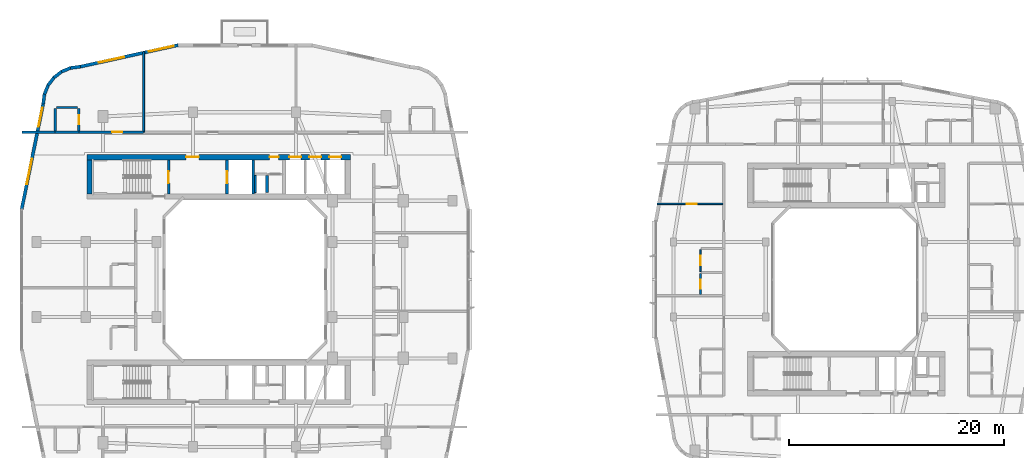
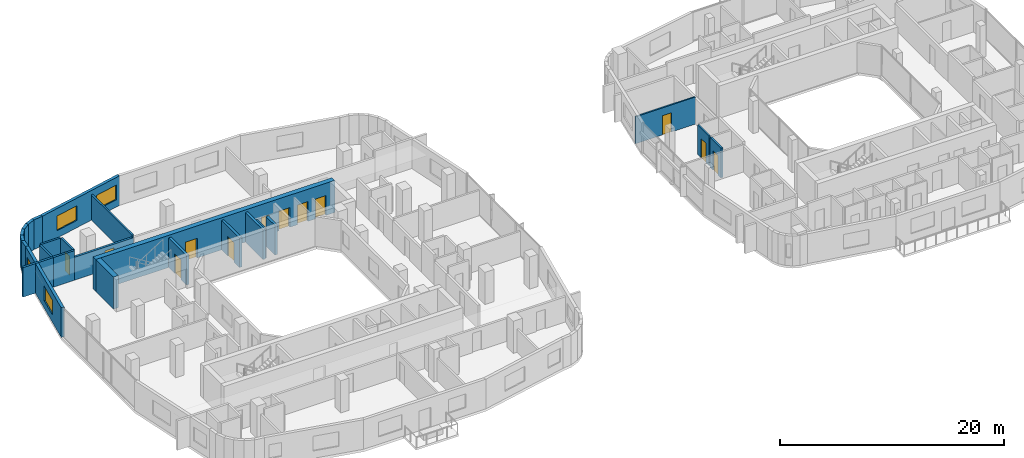
# One storey, part 12 of 24: 25 walls, 12 doors, 4 windows, 16 openings.
"""IFC4 building model written with IfcOpenShell, lengths in metres."""

from ifc_helpers import new_model, si_unit, derived_unit, direction, frame, frame_2d, origin, place, context, subcontext, project, spatial, rectangle, extrude, material, layer, layer_set, type_object, element, fill, save


model = new_model("IFC4")

# Units and contexts
model_context = context("Model", 3, precision=1e-05, world=origin(), true_north=direction((0.0, 1.0)))
body_context = subcontext(model_context, "Body", "Model", "MODEL_VIEW")
ifc_project = project(units=[si_unit("LENGTHUNIT", "METRE"), si_unit("AREAUNIT", "SQUARE_METRE"), si_unit("VOLUMEUNIT", "CUBIC_METRE"), si_unit("PLANEANGLEUNIT", "RADIAN"), si_unit("MASSUNIT", "GRAM", prefix="KILO"), derived_unit("THERMALTRANSMITTANCEUNIT", [(si_unit("POWERUNIT", "WATT"), 1), (si_unit("LENGTHUNIT", "METRE"), -2), (si_unit("THERMODYNAMICTEMPERATUREUNIT", "KELVIN"), -1)])], contexts=[model_context])

# Site, building, storey
site_placement = place(None, origin())
site = spatial("IfcSite", under=ifc_project, at=site_placement, CompositionType="ELEMENT")
building_placement = place(site_placement, origin())
building = spatial("IfcBuilding", under=site, at=building_placement, Name="Kivonza Crest Hotel", CompositionType="ELEMENT")
storey_placement = place(building_placement, frame((0.0, 0.0, 80.0)))
storey = spatial("IfcBuildingStorey", under=building, at=storey_placement, Name="L21", CompositionType="ELEMENT", Elevation=80.0)

# Walls
ifc_material_1 = material(Name="High-density acoustic masonry inter-tenancy wall", Category="masonry")
ifc_layer_1 = layer(ifc_material_1, 0.179931640625)
ifc_layer_set_1 = layer_set([ifc_layer_1], Name="High-density acoustic masonry inter-tenancy wall")
wall_type_1 = type_object("IfcWallType", Name="WL-ACOU-180", PredefinedType="SOLIDWALL", material=ifc_layer_set_1)
wall_1_placement = place(storey_placement, frame((11.60009765625, 38.75, 0.0), z_axis=(0.0, 0.0, 1.0), x_axis=(0.0, 1.0, 0.0)))
element("IfcWall", 1, at=wall_1_placement, inside=storey, type_object=wall_type_1, Name="L21 interior partition WA-L21-T1N-DIV1", PredefinedType="SOLIDWALL", context=body_context, shape_type="SweptSolid", body=[
    extrude(rectangle(XDim=7.493896484375, YDim=0.179931640625, at=frame_2d((3.7470703125, 0.0))), origin(), (0.0, 0.0, 1.0), 2.7451171875),
])
ifc_material_2 = material(Name="Autoclaved aerated concrete blockwork", Category="masonry")
ifc_layer_2 = layer(ifc_material_2, 0.219970703125)
ifc_layer_set_2 = layer_set([ifc_layer_2], Name="Autoclaved aerated concrete blockwork")
wall_type_2 = type_object("IfcWallType", Name="WL-ACOU-220", PredefinedType="SOLIDWALL", material=ifc_layer_set_2)
wall_2_placement = place(storey_placement, frame((0.239990234375, 38.75, 0.0), z_axis=(0.0, 0.0, 1.0), x_axis=(1.0, 0.0, 0.0)))
element("IfcWall", 2, at=wall_2_placement, inside=storey, type_object=wall_type_2, Name="L21 interior partition WA-L21-N01-XCORR", PredefinedType="SOLIDWALL", context=body_context, shape_type="SweptSolid", body=[
    extrude(rectangle(XDim=3.110107421875, YDim=0.219970703125, at=frame_2d((1.55517578125, 0.0))), origin(), (0.0, 0.0, 1.0), 3.219970703125),
])
wall_3_placement = place(storey_placement, frame((3.35009765625, 38.75, 0.0), z_axis=(0.0, 0.0, 1.0), x_axis=(1.0, 0.0, 0.0)))
element("IfcWall", 3, at=wall_3_placement, inside=storey, type_object=wall_type_2, Name="L21 interior partition WA-L21-N01-BCORR", PredefinedType="SOLIDWALL", context=body_context, shape_type="SweptSolid", body=[
    extrude(rectangle(XDim=2.199951171875, YDim=0.219970703125, at=frame_2d((1.10009765625, 0.0))), origin(), (0.0, 0.0, 1.0), 3.219970703125),
])

# Wall, opening, door
wall_4_placement = place(storey_placement, frame((5.550048828125, 38.75, 0.0), z_axis=(0.0, 0.0, 1.0), x_axis=(1.0, 0.0, 0.0)))
wall_4 = element("IfcWall", 4, at=wall_4_placement, inside=storey, type_object=wall_type_2, Name="L21 interior partition WA-L21-N01-MCORR", PredefinedType="SOLIDWALL", context=body_context, shape_type="SweptSolid", body=[
    extrude(rectangle(XDim=6.050048828125, YDim=0.219970703125, at=frame_2d((3.02490234375, 0.0))), origin(), (0.0, 0.0, 1.0), 2.4951171875),
])
opening_1_placement = place(wall_4_placement, frame((3.110107421875, 0.0, 0.0)))
opening_1 = element("IfcOpeningElement", 5, at=opening_1_placement, cuts=wall_4, Name="Opening DU-60", PredefinedType="OPENING", context=body_context, shape_type="SweptSolid", body=[
    extrude(rectangle(XDim=0.949951171875, YDim=2.10009765625, at=frame_2d((0.47509765625, 1.050048828125))), frame((0.0, 0.1201171875, 0.0), z_axis=(0.0, -1.0, 0.0), x_axis=(1.0, 0.0, 0.0)), (0.0, 0.0, 1.0), 0.239990234375),
])
ifc_material_3 = material(Name="Hardwood timber oak", Category="wood")
door_type_1 = type_object("IfcDoorType", Name="DR-UNIT-950", OperationType="NOTDEFINED", PredefinedType="DOOR", material=ifc_material_3)
door_1_placement = place(opening_1_placement, origin())
door_1 = element("IfcDoor", 6, at=door_1_placement, inside=storey, type_object=door_type_1, Name="L21 N01 guest unit entrance fire door", OperationType="SINGLE_SWING_LEFT", OverallHeight=2.10009765625, OverallWidth=0.949951171875, PredefinedType="DOOR", context=body_context, shape_type="SweptSolid", body=[
    extrude(rectangle(XDim=0.949951171875, YDim=2.10009765625, at=frame_2d((0.47509765625, 1.050048828125))), frame((0.0, 0.02490234375, 0.0), z_axis=(0.0, -1.0, 0.0), x_axis=(1.0, 0.0, 0.0)), (0.0, 0.0, 1.0), 0.050048828125),
])
fill(opening_1, door_1)

# Wall, openings, doors
ifc_material_4 = material(Name="Concrete C60/75", Category="concrete")
ifc_layer_3 = layer(ifc_material_4, 0.5)
ifc_layer_set_3 = layer_set([ifc_layer_3], Name="Concrete C60/75")
wall_type_3 = type_object("IfcWallType", Name="WL-CORE-500", PredefinedType="SHEAR", material=ifc_layer_set_3)
wall_5_placement = place(storey_placement, frame((6.300048828125, 36.409912109375, 0.0), z_axis=(0.0, 0.0, 1.0), x_axis=(1.0, 0.0, 0.0)))
wall_5 = element("IfcWall", 7, at=wall_5_placement, inside=storey, type_object=wall_type_3, Name="Core wall T1-N North L21", PredefinedType="SHEAR", context=body_context, shape_type="SweptSolid", body=[
    extrude(rectangle(XDim=24.599853515625, YDim=0.5, at=frame_2d((12.2998046875, 0.0))), origin(), (0.0, 0.0, 1.0), 3.5),
])
opening_2_placement = place(wall_5_placement, frame((9.25, 0.0, 0.0)))
opening_2 = element("IfcOpeningElement", 8, at=opening_2_placement, cuts=wall_5, Name="Opening DF-60", PredefinedType="OPENING", context=body_context, shape_type="SweptSolid", body=[
    extrude(rectangle(XDim=1.199951171875, YDim=2.14990234375, at=frame_2d((0.60009765625, 1.074951171875))), frame((0.0, 0.260009765625, 0.0), z_axis=(0.0, -1.0, 0.0), x_axis=(1.0, 0.0, 0.0)), (0.0, 0.0, 1.0), 0.52001953125),
])
opening_3_placement = place(wall_5_placement, frame((17.0400390625, 0.0, 0.0)))
opening_3 = element("IfcOpeningElement", 9, at=opening_3_placement, cuts=wall_5, Name="Opening DF-60R", PredefinedType="OPENING", context=body_context, shape_type="SweptSolid", body=[
    extrude(rectangle(XDim=0.85009765625, YDim=2.10009765625, at=frame_2d((0.425048828125, 1.050048828125))), frame((0.0, 0.260009765625, 0.0), z_axis=(0.0, -1.0, 0.0), x_axis=(1.0, 0.0, 0.0)), (0.0, 0.0, 1.0), 0.52001953125),
])
opening_4_placement = place(wall_5_placement, frame((18.883056640625, 0.0, 0.0)))
opening_4 = element("IfcOpeningElement", 10, at=opening_4_placement, cuts=wall_5, Name="Opening LD-120", PredefinedType="OPENING", context=body_context, shape_type="SweptSolid", body=[
    extrude(rectangle(XDim=1.10009765625, YDim=2.14990234375, at=frame_2d((0.550048828125, 1.074951171875))), frame((0.0, 0.260009765625, 0.0), z_axis=(0.0, -1.0, 0.0), x_axis=(1.0, 0.0, 0.0)), (0.0, 0.0, 1.0), 0.52001953125),
])
opening_5_placement = place(wall_5_placement, frame((20.75, 0.0, 0.0)))
opening_5 = element("IfcOpeningElement", 11, at=opening_5_placement, cuts=wall_5, Name="Opening LD-120", PredefinedType="OPENING", context=body_context, shape_type="SweptSolid", body=[
    extrude(rectangle(XDim=1.10009765625, YDim=2.14990234375, at=frame_2d((0.550048828125, 1.074951171875))), frame((0.0, 0.260009765625, 0.0), z_axis=(0.0, -1.0, 0.0), x_axis=(1.0, 0.0, 0.0)), (0.0, 0.0, 1.0), 0.52001953125),
])
opening_6_placement = place(wall_5_placement, frame((22.615966796875, 0.0, 0.0)))
opening_6 = element("IfcOpeningElement", 12, at=opening_6_placement, cuts=wall_5, Name="Opening LD-120", PredefinedType="OPENING", context=body_context, shape_type="SweptSolid", body=[
    extrude(rectangle(XDim=1.10009765625, YDim=2.14990234375, at=frame_2d((0.550048828125, 1.074951171875))), frame((0.0, 0.260009765625, 0.0), z_axis=(0.0, -1.0, 0.0), x_axis=(1.0, 0.0, 0.0)), (0.0, 0.0, 1.0), 0.52001953125),
])
door_type_2 = type_object("IfcDoorType", Name="DR-FD60-1200", OperationType="NOTDEFINED", PredefinedType="DOOR", material=ifc_material_3)
door_2_placement = place(opening_2_placement, origin())
door_2 = element("IfcDoor", 13, at=door_2_placement, inside=storey, type_object=door_type_2, Name="L21 T1-N firefighting lobby fire door", OperationType="SINGLE_SWING_RIGHT", OverallHeight=2.14990234375, OverallWidth=1.199951171875, PredefinedType="DOOR", context=body_context, shape_type="SweptSolid", body=[
    extrude(rectangle(XDim=1.199951171875, YDim=2.14990234375, at=frame_2d((0.60009765625, 1.074951171875))), frame((0.0, 0.02490234375, 0.0), z_axis=(0.0, -1.0, 0.0), x_axis=(1.0, 0.0, 0.0)), (0.0, 0.0, 1.0), 0.050048828125),
])
fill(opening_2, door_2)
door_type_3 = type_object("IfcDoorType", Name="DR-FD60-850", OperationType="NOTDEFINED", PredefinedType="DOOR", material=ifc_material_3)
door_3_placement = place(opening_3_placement, origin())
door_3 = element("IfcDoor", 14, at=door_3_placement, inside=storey, type_object=door_type_3, Name="L21 T1-N core room door", OperationType="SINGLE_SWING_RIGHT", OverallHeight=2.10009765625, OverallWidth=0.85009765625, PredefinedType="DOOR", context=body_context, shape_type="SweptSolid", body=[
    extrude(rectangle(XDim=0.85009765625, YDim=2.10009765625, at=frame_2d((0.425048828125, 1.050048828125))), frame((0.0, 0.02490234375, 0.0), z_axis=(0.0, -1.0, 0.0), x_axis=(1.0, 0.0, 0.0)), (0.0, 0.0, 1.0), 0.050048828125),
])
fill(opening_3, door_3)
ifc_material_5 = material(Name="Stainless steel", Category="steel")
door_type_4 = type_object("IfcDoorType", Name="DR-LD120-1100", OperationType="NOTDEFINED", PredefinedType="DOOR", material=ifc_material_5)
door_4_placement = place(opening_4_placement, origin())
door_4 = element("IfcDoor", 15, at=door_4_placement, inside=storey, type_object=door_type_4, Name="L21 PL-T1-L1 passenger lift sliding landing door", OperationType="DOUBLE_DOOR_SLIDING", OverallHeight=2.14990234375, OverallWidth=1.10009765625, PredefinedType="DOOR", context=body_context, shape_type="SweptSolid", body=[
    extrude(rectangle(XDim=1.10009765625, YDim=2.14990234375, at=frame_2d((0.550048828125, 1.074951171875))), frame((0.0, 0.02490234375, 0.0), z_axis=(0.0, -1.0, 0.0), x_axis=(1.0, 0.0, 0.0)), (0.0, 0.0, 1.0), 0.050048828125),
])
fill(opening_4, door_4)
door_5_placement = place(opening_5_placement, origin())
door_5 = element("IfcDoor", 16, at=door_5_placement, inside=storey, type_object=door_type_4, Name="L21 PL-T1-L2 passenger lift sliding landing door", OperationType="DOUBLE_DOOR_SLIDING", OverallHeight=2.14990234375, OverallWidth=1.10009765625, PredefinedType="DOOR", context=body_context, shape_type="SweptSolid", body=[
    extrude(rectangle(XDim=1.10009765625, YDim=2.14990234375, at=frame_2d((0.550048828125, 1.074951171875))), frame((0.0, 0.02490234375, 0.0), z_axis=(0.0, -1.0, 0.0), x_axis=(1.0, 0.0, 0.0)), (0.0, 0.0, 1.0), 0.050048828125),
])
fill(opening_5, door_5)
door_6_placement = place(opening_6_placement, origin())
door_6 = element("IfcDoor", 17, at=door_6_placement, inside=storey, type_object=door_type_4, Name="L21 PL-T1-L3 passenger lift sliding landing door", OperationType="DOUBLE_DOOR_SLIDING", OverallHeight=2.14990234375, OverallWidth=1.10009765625, PredefinedType="DOOR", context=body_context, shape_type="SweptSolid", body=[
    extrude(rectangle(XDim=1.10009765625, YDim=2.14990234375, at=frame_2d((0.550048828125, 1.074951171875))), frame((0.0, 0.02490234375, 0.0), z_axis=(0.0, -1.0, 0.0), x_axis=(1.0, 0.0, 0.0)), (0.0, 0.0, 1.0), 0.050048828125),
])
fill(opening_6, door_6)

# Wall
wall_6_placement = place(storey_placement, frame((6.550048828125, 33.0, 0.0), z_axis=(0.0, 0.0, 1.0), x_axis=(0.0, 1.0, 0.0)))
element("IfcWall", 18, at=wall_6_placement, inside=storey, type_object=wall_type_3, Name="Core wall T1-N West L21", PredefinedType="SHEAR", context=body_context, shape_type="SweptSolid", body=[
    extrude(rectangle(XDim=3.159912109375, YDim=0.5, at=frame_2d((1.580078125, 0.0))), origin(), (0.0, 0.0, 1.0), 3.5),
])

# Wall, openings, windows
ifc_material_6 = material(Name="Precast concrete C40/50", Category="concrete")
ifc_layer_4 = layer(ifc_material_6, 0.300048828125)
ifc_layer_set_4 = layer_set([ifc_layer_4], Name="Precast concrete C40/50")
wall_type_4 = type_object("IfcWallType", Name="WL-EXT-300", PredefinedType="STANDARD", material=ifc_layer_set_4)
wall_7_placement = place(storey_placement, frame((14.80810546875, 46.85888671875, 0.0), z_axis=(0.0, 0.0, 1.0), x_axis=(-0.976555357219, -0.21526642629, 0.0)))
wall_7 = element("IfcWall", 19, at=wall_7_placement, inside=storey, type_object=wall_type_4, Name="L21 T1 exterior insulated wall 27", PredefinedType="STANDARD", context=body_context, shape_type="SweptSolid", body=[
    extrude(rectangle(XDim=9.322509765625, YDim=0.300048828125, at=frame_2d((4.6611328125, 0.0))), origin(), (0.0, 0.0, 1.0), 3.219970703125),
])
opening_7_placement = place(wall_7_placement, frame((0.403076171875, 0.0, 0.800048828125)))
opening_7 = element("IfcOpeningElement", 20, at=opening_7_placement, cuts=wall_7, Name="Opening WN-05", PredefinedType="OPENING", context=body_context, shape_type="SweptSolid", body=[
    extrude(rectangle(XDim=2.39990234375, YDim=1.60009765625, at=frame_2d((1.199951171875, 0.800048828125))), frame((0.0, 0.16015625, 0.0), z_axis=(0.0, -1.0, 0.0), x_axis=(1.0, 0.0, 0.0)), (0.0, 0.0, 1.0), 0.320068359375),
])
opening_8_placement = place(wall_7_placement, frame((5.1689453125, 0.0, 0.800048828125)))
opening_8 = element("IfcOpeningElement", 21, at=opening_8_placement, cuts=wall_7, Name="Opening WN-05", PredefinedType="OPENING", context=body_context, shape_type="SweptSolid", body=[
    extrude(rectangle(XDim=2.39990234375, YDim=1.60009765625, at=frame_2d((1.199951171875, 0.800048828125))), frame((0.0, 0.16015625, 0.0), z_axis=(0.0, -1.0, 0.0), x_axis=(1.0, 0.0, 0.0)), (0.0, 0.0, 1.0), 0.320068359375),
])
ifc_material_7 = material(Name="Thermally broken bronze aluminium and low-E double glazing", Category="aluminium")
window_type_1 = type_object("IfcWindowType", Name="WN-240x160", PartitioningType="TRIPLE_PANEL_VERTICAL", PredefinedType="WINDOW", material=ifc_material_7)
window_1_placement = place(opening_7_placement, origin())
window_1 = element("IfcWindow", 22, at=window_1_placement, inside=storey, type_object=window_type_1, Name="L21 T1 facade window 27 bay 1", OverallHeight=1.60009765625, OverallWidth=2.39990234375, PartitioningType="SINGLE_PANEL", PredefinedType="WINDOW", context=body_context, shape_type="SweptSolid", body=[
    extrude(rectangle(XDim=2.39990234375, YDim=1.60009765625, at=frame_2d((1.199951171875, 0.800048828125))), frame((0.0, 0.030029296875, 0.0), z_axis=(0.0, -1.0, 0.0), x_axis=(1.0, 0.0, 0.0)), (0.0, 0.0, 1.0), 0.06005859375),
])
fill(opening_7, window_1)
window_2_placement = place(opening_8_placement, origin())
window_2 = element("IfcWindow", 23, at=window_2_placement, inside=storey, type_object=window_type_1, Name="L21 T1 facade window 27 bay 2", OverallHeight=1.60009765625, OverallWidth=2.39990234375, PartitioningType="SINGLE_PANEL", PredefinedType="WINDOW", context=body_context, shape_type="SweptSolid", body=[
    extrude(rectangle(XDim=2.39990234375, YDim=1.60009765625, at=frame_2d((1.199951171875, 0.800048828125))), frame((0.0, 0.030029296875, 0.0), z_axis=(0.0, -1.0, 0.0), x_axis=(1.0, 0.0, 0.0)), (0.0, 0.0, 1.0), 0.06005859375),
])
fill(opening_8, window_2)

# Walls
wall_8_placement = place(storey_placement, frame((5.7080078125, 44.85205078125, 0.0), z_axis=(0.0, 0.0, 1.0), x_axis=(-0.991359246108, -0.131174864804, 0.0)))
element("IfcWall", 24, at=wall_8_placement, inside=storey, type_object=wall_type_4, Name="L21 T1 exterior insulated wall 28", PredefinedType="STANDARD", context=body_context, shape_type="SweptSolid", body=[
    extrude(rectangle(XDim=0.93798828125, YDim=0.300048828125, at=frame_2d((0.468994140625, 0.0))), origin(), (0.0, 0.0, 1.0), 3.219970703125),
])
wall_9_placement = place(storey_placement, frame((4.827880859375, 44.748046875, 0.0), z_axis=(0.0, 0.0, 1.0), x_axis=(-0.923982547689, -0.382434636986, 0.0)))
element("IfcWall", 25, at=wall_9_placement, inside=storey, type_object=wall_type_4, Name="L21 T1 exterior insulated wall 29", PredefinedType="STANDARD", context=body_context, shape_type="SweptSolid", body=[
    extrude(rectangle(XDim=0.954345703125, YDim=0.300048828125, at=frame_2d((0.47705078125, 0.0))), origin(), (0.0, 0.0, 1.0), 3.219970703125),
])
for number, where, z_axis, x_axis, name in (
    (26, (3.990966796875, 44.4140625, 0.0), (0.0, 0.0, 1.0), (-0.793668068435, -0.608351047625, 0.0), "L21 T1 exterior insulated wall 30"),
    (27, (3.26806640625, 43.875, 0.0), (0.0, 0.0, 1.0), (-0.608351047625, -0.793668068435, 0.0), "L21 T1 exterior insulated wall 31"),
):
    element("IfcWall", number, at=place(storey_placement, frame(where, z_axis=z_axis, x_axis=x_axis)), inside=storey, type_object=wall_type_4, Name=name, PredefinedType="STANDARD", context=body_context, shape_type="SweptSolid", body=[
        extrude(rectangle(XDim=0.955078125, YDim=0.300048828125, at=frame_2d((0.4775390625, 0.0))), origin(), (0.0, 0.0, 1.0), 3.219970703125),
    ])
wall_10_placement = place(storey_placement, frame((2.7109375, 43.166015625, 0.0), z_axis=(0.0, 0.0, 1.0), x_axis=(-0.382344263057, -0.924019948111, 0.0)))
element("IfcWall", 28, at=wall_10_placement, inside=storey, type_object=wall_type_4, Name="L21 T1 exterior insulated wall 32", PredefinedType="STANDARD", context=body_context, shape_type="SweptSolid", body=[
    extrude(rectangle(XDim=0.95458984375, YDim=0.300048828125, at=frame_2d((0.477294921875, 0.0))), origin(), (0.0, 0.0, 1.0), 3.219970703125),
])
wall_11_placement = place(storey_placement, frame((2.35498046875, 42.3369140625, 0.0), z_axis=(0.0, 0.0, 1.0), x_axis=(-0.130454512571, -0.991454295543, 0.0)))
element("IfcWall", 29, at=wall_11_placement, inside=storey, type_object=wall_type_4, Name="L21 T1 exterior insulated wall 33", PredefinedType="STANDARD", context=body_context, shape_type="SweptSolid", body=[
    extrude(rectangle(XDim=0.97314453125, YDim=0.300048828125, at=frame_2d((0.486572265625, 0.0))), origin(), (0.0, 0.0, 1.0), 3.219970703125),
])

# Wall, openings, windows
wall_12_placement = place(storey_placement, frame((2.22900390625, 41.3779296875, 0.0), z_axis=(0.0, 0.0, 1.0), x_axis=(-0.199990901713, -0.979797754249, 0.0)))
wall_12 = element("IfcWall", 30, at=wall_12_placement, inside=storey, type_object=wall_type_4, Name="L21 T1 exterior insulated wall 34", PredefinedType="STANDARD", context=body_context, shape_type="SweptSolid", body=[
    extrude(rectangle(XDim=10.065185546875, YDim=0.300048828125, at=frame_2d((5.03271484375, 0.0))), origin(), (0.0, 0.0, 1.0), 3.219970703125),
])
opening_9_placement = place(wall_12_placement, frame((0.3779296875, 0.0, 0.85009765625)))
opening_9 = element("IfcOpeningElement", 31, at=opening_9_placement, cuts=wall_12, Name="Opening WN-03", PredefinedType="OPENING", context=body_context, shape_type="SweptSolid", body=[
    extrude(rectangle(XDim=1.800048828125, YDim=1.5, at=frame_2d((0.89990234375, 0.75))), frame((0.0, 0.16015625, 0.0), z_axis=(0.0, -1.0, 0.0), x_axis=(1.0, 0.0, 0.0)), (0.0, 0.0, 1.0), 0.320068359375),
])
opening_10_placement = place(wall_12_placement, frame((5.236083984375, 0.0, 0.800048828125)))
opening_10 = element("IfcOpeningElement", 32, at=opening_10_placement, cuts=wall_12, Name="Opening WN-05", PredefinedType="OPENING", context=body_context, shape_type="SweptSolid", body=[
    extrude(rectangle(XDim=2.39990234375, YDim=1.60009765625, at=frame_2d((1.199951171875, 0.800048828125))), frame((0.0, 0.16015625, 0.0), z_axis=(0.0, -1.0, 0.0), x_axis=(1.0, 0.0, 0.0)), (0.0, 0.0, 1.0), 0.320068359375),
])
window_type_2 = type_object("IfcWindowType", Name="WN-180x150", PartitioningType="DOUBLE_PANEL_VERTICAL", PredefinedType="WINDOW", material=ifc_material_7)
window_3_placement = place(opening_9_placement, origin())
window_3 = element("IfcWindow", 33, at=window_3_placement, inside=storey, type_object=window_type_2, Name="L21 T1 facade window 34 bay 1", OverallHeight=1.5, OverallWidth=1.800048828125, PartitioningType="SINGLE_PANEL", PredefinedType="WINDOW", context=body_context, shape_type="SweptSolid", body=[
    extrude(rectangle(XDim=1.800048828125, YDim=1.5, at=frame_2d((0.89990234375, 0.75))), frame((0.0, 0.030029296875, 0.0), z_axis=(0.0, -1.0, 0.0), x_axis=(1.0, 0.0, 0.0)), (0.0, 0.0, 1.0), 0.06005859375),
])
fill(opening_9, window_3)
window_4_placement = place(opening_10_placement, origin())
window_4 = element("IfcWindow", 34, at=window_4_placement, inside=storey, type_object=window_type_1, Name="L21 T1 facade window 34 bay 2", OverallHeight=1.60009765625, OverallWidth=2.39990234375, PartitioningType="SINGLE_PANEL", PredefinedType="WINDOW", context=body_context, shape_type="SweptSolid", body=[
    extrude(rectangle(XDim=2.39990234375, YDim=1.60009765625, at=frame_2d((1.199951171875, 0.800048828125))), frame((0.0, 0.030029296875, 0.0), z_axis=(0.0, -1.0, 0.0), x_axis=(1.0, 0.0, 0.0)), (0.0, 0.0, 1.0), 0.06005859375),
])
fill(opening_10, window_4)

# Walls
ifc_material_8 = material(Name="Concrete blockwork fire-compartment wall", Category="masonry")
ifc_layer_5 = layer(ifc_material_8, 0.25)
ifc_layer_set_5 = layer_set([ifc_layer_5], Name="Concrete blockwork fire-compartment wall")
wall_type_5 = type_object("IfcWallType", Name="WL-FIRE-250", PredefinedType="SOLIDWALL", material=ifc_layer_set_5)
wall_13_placement = place(storey_placement, frame((23.10009765625, 33.10009765625, 0.0), z_axis=(0.0, 0.0, 1.0), x_axis=(0.0, 1.0, 0.0)))
element("IfcWall", 35, at=wall_13_placement, inside=storey, type_object=wall_type_5, Name="L21 interior partition WA-L21-T1-N-MEPR-E", PredefinedType="SOLIDWALL", context=body_context, shape_type="SweptSolid", body=[
    extrude(rectangle(XDim=1.619873046875, YDim=0.25, at=frame_2d((0.81005859375, 0.0))), origin(), (0.0, 0.0, 1.0), 3.219970703125),
])
ifc_material_9 = material(Name="Twin-stud acoustic gypsum board partition", Category="gypsum")
ifc_layer_6 = layer(ifc_material_9, 0.14990234375)
ifc_layer_set_6 = layer_set([ifc_layer_6], Name="Twin-stud acoustic gypsum board partition")
wall_type_6 = type_object("IfcWallType", Name="WL-PART-150", PredefinedType="PARTITIONING", material=ifc_layer_set_6)
wall_14_placement = place(storey_placement, frame((22.030029296875, 33.10009765625, 0.0), z_axis=(0.0, 0.0, 1.0), x_axis=(0.0, 1.0, 0.0)))
element("IfcWall", 36, at=wall_14_placement, inside=storey, type_object=wall_type_6, Name="L21 interior partition WA-L21-T1-N-MEPR-W", PredefinedType="PARTITIONING", context=body_context, shape_type="SweptSolid", body=[
    extrude(rectangle(XDim=1.619873046875, YDim=0.14990234375, at=frame_2d((0.81005859375, 0.0))), origin(), (0.0, 0.0, 1.0), 3.219970703125),
])

# Wall, opening, door
wall_15_placement = place(storey_placement, frame((59.4599609375, 32.06005859375, 0.0), z_axis=(0.0, 0.0, 1.0), x_axis=(1.0, 0.0, 0.0)))
wall_15 = element("IfcWall", 37, at=wall_15_placement, inside=storey, type_object=wall_type_6, Name="L21 interior partition WP-L21-A07-BD1", PredefinedType="PARTITIONING", context=body_context, shape_type="SweptSolid", body=[
    extrude(rectangle(XDim=6.14013671875, YDim=0.14990234375, at=frame_2d((3.070068359375, 0.0))), origin(), (0.0, 0.0, 1.0), 2.945068359375),
])
opening_11_placement = place(wall_15_placement, frame((2.7900390625, 0.0, 0.0)))
opening_11 = element("IfcOpeningElement", 38, at=opening_11_placement, cuts=wall_15, Name="Opening DI-90", PredefinedType="OPENING", context=body_context, shape_type="SweptSolid", body=[
    extrude(rectangle(XDim=0.89990234375, YDim=2.10009765625, at=frame_2d((0.449951171875, 1.050048828125))), frame((0.0, 0.0849609375, 0.0), z_axis=(0.0, -1.0, 0.0), x_axis=(1.0, 0.0, 0.0)), (0.0, 0.0, 1.0), 0.169921875),
])
door_type_5 = type_object("IfcDoorType", Name="DR-INT-900", OperationType="NOTDEFINED", PredefinedType="DOOR", material=ifc_material_3)
door_7_placement = place(opening_11_placement, origin())
door_7 = element("IfcDoor", 39, at=door_7_placement, inside=storey, type_object=door_type_5, Name="L21 A07 bedroom door", OperationType="SINGLE_SWING_RIGHT", OverallHeight=2.10009765625, OverallWidth=0.89990234375, PredefinedType="DOOR", context=body_context, shape_type="SweptSolid", body=[
    extrude(rectangle(XDim=0.89990234375, YDim=2.10009765625, at=frame_2d((0.449951171875, 1.050048828125))), frame((0.0, 0.02490234375, 0.0), z_axis=(0.0, -1.0, 0.0), x_axis=(1.0, 0.0, 0.0)), (0.0, 0.0, 1.0), 0.050048828125),
])
fill(opening_11, door_7)

wall_16_placement = place(storey_placement, frame((63.5, 25.75, 0.0), z_axis=(0.0, 0.0, 1.0), x_axis=(0.0, 1.0, 0.0)))
wall_16 = element("IfcWall", 40, at=wall_16_placement, inside=storey, type_object=wall_type_6, Name="L21 interior partition WP-L21-A07-KSVC", PredefinedType="PARTITIONING", context=body_context, shape_type="SweptSolid", body=[
    extrude(rectangle(XDim=2.050048828125, YDim=0.14990234375, at=frame_2d((1.02490234375, 0.0))), origin(), (0.0, 0.0, 1.0), 3.219970703125),
])
opening_12_placement = place(wall_16_placement, frame((0.574951171875, 0.0, 0.0)))
opening_12 = element("IfcOpeningElement", 41, at=opening_12_placement, cuts=wall_16, Name="Opening DI-90", PredefinedType="OPENING", context=body_context, shape_type="SweptSolid", body=[
    extrude(rectangle(XDim=0.89990234375, YDim=2.10009765625, at=frame_2d((0.449951171875, 1.050048828125))), frame((0.0, 0.0849609375, 0.0), z_axis=(0.0, -1.0, 0.0), x_axis=(1.0, 0.0, 0.0)), (0.0, 0.0, 1.0), 0.169921875),
])
door_8_placement = place(opening_12_placement, origin())
door_8 = element("IfcDoor", 42, at=door_8_placement, inside=storey, type_object=door_type_5, Name="L21 A07 apartment kitchen door", OperationType="SINGLE_SWING_LEFT", OverallHeight=2.10009765625, OverallWidth=0.89990234375, PredefinedType="DOOR", context=body_context, shape_type="SweptSolid", body=[
    extrude(rectangle(XDim=0.89990234375, YDim=2.10009765625, at=frame_2d((0.449951171875, 1.050048828125))), frame((0.0, 0.02490234375, 0.0), z_axis=(0.0, -1.0, 0.0), x_axis=(1.0, 0.0, 0.0)), (0.0, 0.0, 1.0), 0.050048828125),
])
fill(opening_12, door_8)

ifc_material_10 = material(Name="Moisture-resistant plumbing chase partition wall", Category="gypsum")
ifc_layer_7 = layer(ifc_material_10, 0.199951171875)
ifc_layer_set_7 = layer_set([ifc_layer_7], Name="Moisture-resistant plumbing chase partition wall")
wall_type_7 = type_object("IfcWallType", Name="WL-PLUMB-200", PredefinedType="PLUMBINGWALL", material=ifc_layer_set_7)
wall_17_placement = place(storey_placement, frame((5.550048828125, 38.85009765625, 0.0), z_axis=(0.0, 0.0, 1.0), x_axis=(0.0, 1.0, 0.0)))
wall_17 = element("IfcWall", 43, at=wall_17_placement, inside=storey, type_object=wall_type_7, Name="L21 interior partition WW-L21-N01-BV", PredefinedType="PLUMBINGWALL", context=body_context, shape_type="SweptSolid", body=[
    extrude(rectangle(XDim=2.099853515625, YDim=0.199951171875, at=frame_2d((1.0498046875, 0.0))), origin(), (0.0, 0.0, 1.0), 3.219970703125),
])
opening_13_placement = place(wall_17_placement, frame((0.625, 0.0, 0.0)))
opening_13 = element("IfcOpeningElement", 44, at=opening_13_placement, cuts=wall_17, Name="Opening DI-85", PredefinedType="OPENING", context=body_context, shape_type="SweptSolid", body=[
    extrude(rectangle(XDim=0.85009765625, YDim=2.10009765625, at=frame_2d((0.425048828125, 1.050048828125))), frame((0.0, 0.10986328125, 0.0), z_axis=(0.0, -1.0, 0.0), x_axis=(1.0, 0.0, 0.0)), (0.0, 0.0, 1.0), 0.219970703125),
])
door_type_6 = type_object("IfcDoorType", Name="DR-INT-850", OperationType="NOTDEFINED", PredefinedType="DOOR", material=ifc_material_3)
door_9_placement = place(opening_13_placement, frame((0.85009765625, 0.0, 0.0), z_axis=(0.0, 0.0, 1.0), x_axis=(-1.0, 0.0, 0.0)))
door_9 = element("IfcDoor", 45, at=door_9_placement, inside=storey, type_object=door_type_6, Name="L21 N01 en-suite bathroom door", OperationType="SINGLE_SWING_RIGHT", OverallHeight=2.10009765625, OverallWidth=0.85009765625, PredefinedType="DOOR", context=body_context, shape_type="SweptSolid", body=[
    extrude(rectangle(XDim=0.85009765625, YDim=2.10009765625, at=frame_2d((0.425048828125, 1.050048828125))), frame((0.0, 0.02490234375, 0.0), z_axis=(0.0, -1.0, 0.0), x_axis=(1.0, 0.0, 0.0)), (0.0, 0.0, 1.0), 0.050048828125),
])
fill(opening_13, door_9)

# Walls
wall_18_placement = place(storey_placement, frame((3.449951171875, 41.050048828125, 0.0), z_axis=(0.0, 0.0, 1.0), x_axis=(1.0, 0.0, 0.0)))
element("IfcWall", 46, at=wall_18_placement, inside=storey, type_object=wall_type_7, Name="L21 interior partition WW-L21-N01-BH", PredefinedType="PLUMBINGWALL", context=body_context, shape_type="SweptSolid", body=[
    extrude(rectangle(XDim=2.0, YDim=0.199951171875, at=frame_2d((1.0, 0.0))), origin(), (0.0, 0.0, 1.0), 3.219970703125),
])
wall_19_placement = place(storey_placement, frame((3.35009765625, 38.85009765625, 0.0), z_axis=(0.0, 0.0, 1.0), x_axis=(0.0, 1.0, 0.0)))
element("IfcWall", 47, at=wall_19_placement, inside=storey, type_object=wall_type_7, Name="L21 interior partition WW-L21-N01-BVW", PredefinedType="PLUMBINGWALL", context=body_context, shape_type="SweptSolid", body=[
    extrude(rectangle(XDim=2.099853515625, YDim=0.199951171875, at=frame_2d((1.0498046875, 0.0))), origin(), (0.0, 0.0, 1.0), 3.219970703125),
])

# Wall, opening, door
wall_20_placement = place(storey_placement, frame((63.5, 23.60009765625, 0.0), z_axis=(0.0, 0.0, 1.0), x_axis=(0.0, 1.0, 0.0)))
wall_20 = element("IfcWall", 48, at=wall_20_placement, inside=storey, type_object=wall_type_7, Name="L21 interior partition WW-L21-A07-BSVC", PredefinedType="PLUMBINGWALL", context=body_context, shape_type="SweptSolid", body=[
    extrude(rectangle(XDim=1.949951171875, YDim=0.199951171875, at=frame_2d((0.97509765625, 0.0))), origin(), (0.0, 0.0, 1.0), 3.219970703125),
])
opening_14_placement = place(wall_20_placement, frame((0.550048828125, 0.0, 0.0)))
opening_14 = element("IfcOpeningElement", 49, at=opening_14_placement, cuts=wall_20, Name="Opening DI-85", PredefinedType="OPENING", context=body_context, shape_type="SweptSolid", body=[
    extrude(rectangle(XDim=0.85009765625, YDim=2.10009765625, at=frame_2d((0.425048828125, 1.050048828125))), frame((0.0, 0.10986328125, 0.0), z_axis=(0.0, -1.0, 0.0), x_axis=(1.0, 0.0, 0.0)), (0.0, 0.0, 1.0), 0.219970703125),
])
door_10_placement = place(opening_14_placement, origin())
door_10 = element("IfcDoor", 50, at=door_10_placement, inside=storey, type_object=door_type_6, Name="L21 A07 apartment bathroom door", OperationType="SINGLE_SWING_RIGHT", OverallHeight=2.10009765625, OverallWidth=0.85009765625, PredefinedType="DOOR", context=body_context, shape_type="SweptSolid", body=[
    extrude(rectangle(XDim=0.85009765625, YDim=2.10009765625, at=frame_2d((0.425048828125, 1.050048828125))), frame((0.0, 0.02490234375, 0.0), z_axis=(0.0, -1.0, 0.0), x_axis=(1.0, 0.0, 0.0)), (0.0, 0.0, 1.0), 0.050048828125),
])
fill(opening_14, door_10)

ifc_material_11 = material(Name="Concrete C50/60", Category="concrete")
ifc_layer_8 = layer(ifc_material_11, 0.25)
ifc_layer_set_8 = layer_set([ifc_layer_8], Name="Concrete C50/60")
wall_type_8 = type_object("IfcWallType", Name="WL-SHAFT-250", PredefinedType="STANDARD", material=ifc_layer_set_8)
wall_21_placement = place(storey_placement, frame((13.925048828125, 33.0, 0.0), z_axis=(0.0, 0.0, 1.0), x_axis=(0.0, 1.0, 0.0)))
wall_21 = element("IfcWall", 51, at=wall_21_placement, inside=storey, type_object=wall_type_8, Name="Core shaft wall T1-N STAIR L21", PredefinedType="STANDARD", context=body_context, shape_type="SweptSolid", body=[
    extrude(rectangle(XDim=3.159912109375, YDim=0.25, at=frame_2d((1.580078125, 0.0))), origin(), (0.0, 0.0, 1.0), 3.219970703125),
])
opening_15_placement = place(wall_21_placement, frame((0.97998046875, 0.0, 0.0)))
opening_15 = element("IfcOpeningElement", 52, at=opening_15_placement, cuts=wall_21, Name="Opening DF-120", PredefinedType="OPENING", context=body_context, shape_type="SweptSolid", body=[
    extrude(rectangle(XDim=1.10009765625, YDim=2.14990234375, at=frame_2d((0.550048828125, 1.074951171875))), frame((0.0, 0.135009765625, 0.0), z_axis=(0.0, -1.0, 0.0), x_axis=(1.0, 0.0, 0.0)), (0.0, 0.0, 1.0), 0.27001953125),
])
ifc_material_12 = material(Name="Galvanised steel", Category="steel")
door_type_7 = type_object("IfcDoorType", Name="DR-FD120-1100", OperationType="NOTDEFINED", PredefinedType="DOOR", material=ifc_material_12)
door_11_placement = place(opening_15_placement, frame((1.10009765625, 0.0, 0.0), z_axis=(0.0, 0.0, 1.0), x_axis=(-1.0, 0.0, 0.0)))
door_11 = element("IfcDoor", 53, at=door_11_placement, inside=storey, type_object=door_type_7, Name="L21 T1-N stair fire door", OperationType="SINGLE_SWING_LEFT", OverallHeight=2.14990234375, OverallWidth=1.10009765625, PredefinedType="DOOR", context=body_context, shape_type="SweptSolid", body=[
    extrude(rectangle(XDim=1.10009765625, YDim=2.14990234375, at=frame_2d((0.550048828125, 1.074951171875))), frame((0.0, 0.02490234375, 0.0), z_axis=(0.0, -1.0, 0.0), x_axis=(1.0, 0.0, 0.0)), (0.0, 0.0, 1.0), 0.050048828125),
])
fill(opening_15, door_11)

wall_22_placement = place(storey_placement, frame((19.375, 33.0, 0.0), z_axis=(0.0, 0.0, 1.0), x_axis=(0.0, 1.0, 0.0)))
wall_22 = element("IfcWall", 54, at=wall_22_placement, inside=storey, type_object=wall_type_8, Name="Core shaft wall T1-N FFL-W L21", PredefinedType="STANDARD", context=body_context, shape_type="SweptSolid", body=[
    extrude(rectangle(XDim=3.159912109375, YDim=0.25, at=frame_2d((1.580078125, 0.0))), origin(), (0.0, 0.0, 1.0), 3.219970703125),
])
opening_16_placement = place(wall_22_placement, frame((0.97998046875, 0.0, 0.0)))
opening_16 = element("IfcOpeningElement", 55, at=opening_16_placement, cuts=wall_22, Name="Opening LD-120", PredefinedType="OPENING", context=body_context, shape_type="SweptSolid", body=[
    extrude(rectangle(XDim=1.10009765625, YDim=2.14990234375, at=frame_2d((0.550048828125, 1.074951171875))), frame((0.0, 0.135009765625, 0.0), z_axis=(0.0, -1.0, 0.0), x_axis=(1.0, 0.0, 0.0)), (0.0, 0.0, 1.0), 0.27001953125),
])
door_12_placement = place(opening_16_placement, origin())
door_12 = element("IfcDoor", 56, at=door_12_placement, inside=storey, type_object=door_type_4, Name="L21 FFL-T1-N firefighting lift sliding landing door", OperationType="DOUBLE_DOOR_SLIDING", OverallHeight=2.14990234375, OverallWidth=1.10009765625, PredefinedType="DOOR", context=body_context, shape_type="SweptSolid", body=[
    extrude(rectangle(XDim=1.10009765625, YDim=2.14990234375, at=frame_2d((0.550048828125, 1.074951171875))), frame((0.0, 0.02490234375, 0.0), z_axis=(0.0, -1.0, 0.0), x_axis=(1.0, 0.0, 0.0)), (0.0, 0.0, 1.0), 0.050048828125),
])
fill(opening_16, door_12)

# Wall
wall_23_placement = place(storey_placement, frame((21.824951171875, 33.0, 0.0), z_axis=(0.0, 0.0, 1.0), x_axis=(0.0, 1.0, 0.0)))
element("IfcWall", 57, at=wall_23_placement, inside=storey, type_object=wall_type_8, Name="Core shaft wall T1-N FFL-E L21", PredefinedType="STANDARD", context=body_context, shape_type="SweptSolid", body=[
    extrude(rectangle(XDim=3.159912109375, YDim=0.25, at=frame_2d((1.580078125, 0.0))), origin(), (0.0, 0.0, 1.0), 3.219970703125),
])

save(model, "model.ifc")
